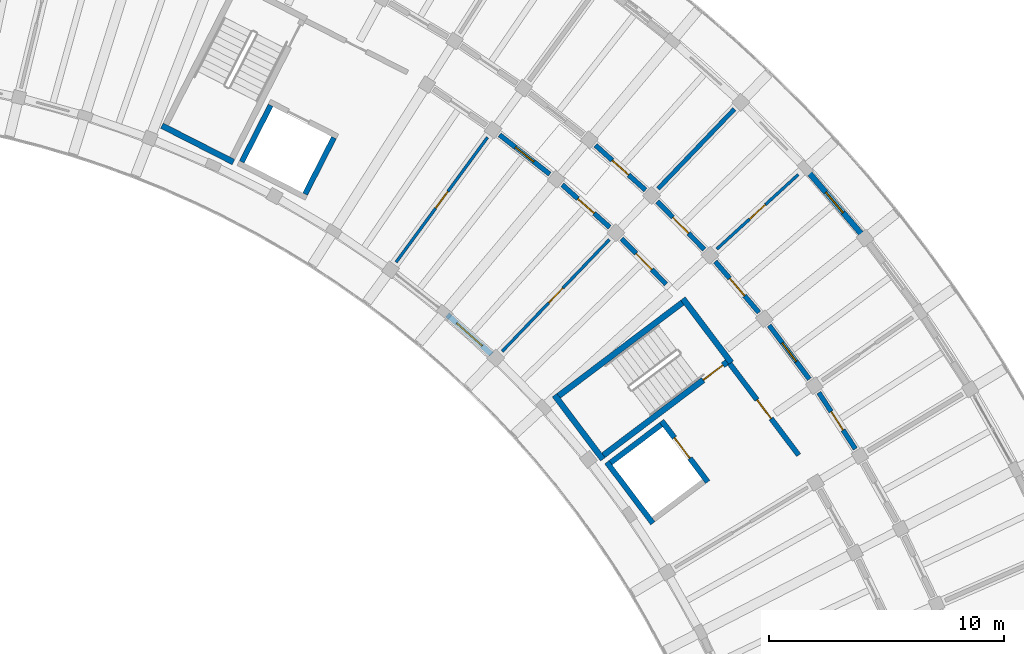
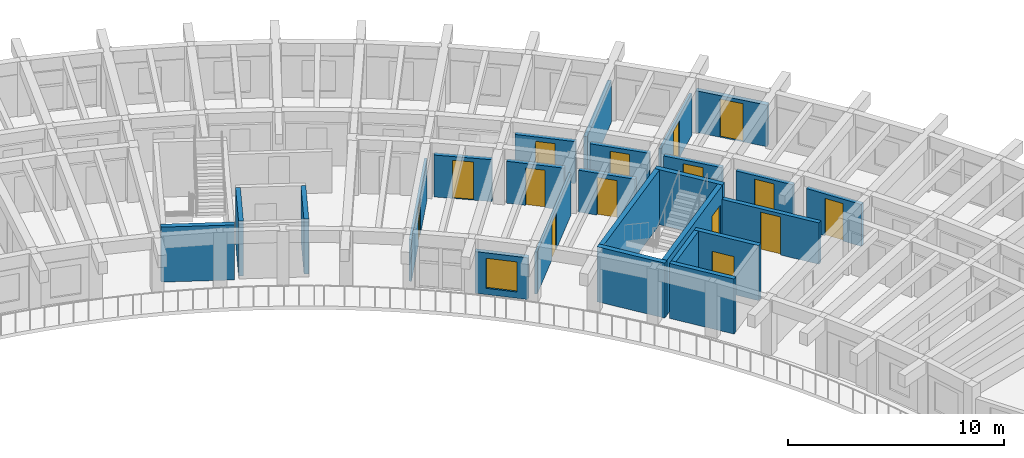
# One storey, part 52 of 78: 25 walls, 15 doors, 1 window, 16 openings.
"""IFC4 building model written with IfcOpenShell, lengths in metres."""

from ifc_helpers import new_model, si_unit, direction, frame, frame_2d, origin, place, context, subcontext, project, spatial, rectangle, extrude, material, layer, layer_set, type_object, element, fill, save


model = new_model("IFC4")

# Units and contexts
model_context = context("Model", 3, precision=1e-05, world=origin(), true_north=direction((0.0, 1.0)))
body_context = subcontext(model_context, "Body", "Model", "MODEL_VIEW")
ifc_project = project(units=[si_unit("LENGTHUNIT", "METRE"), si_unit("AREAUNIT", "SQUARE_METRE"), si_unit("VOLUMEUNIT", "CUBIC_METRE"), si_unit("PLANEANGLEUNIT", "RADIAN"), si_unit("MASSUNIT", "GRAM", prefix="KILO")], contexts=[model_context])

# Site, building, storey
site_placement = place(None, origin())
site = spatial("IfcSite", under=ifc_project, at=site_placement, CompositionType="ELEMENT")
building_placement = place(site_placement, origin())
building = spatial("IfcBuilding", under=site, at=building_placement, Name="Tanwirah Colonnade Gardens", CompositionType="ELEMENT")
storey_placement = place(building_placement, frame((0.0, 0.0, 22.280029296875)))
storey = spatial("IfcBuildingStorey", under=building, at=storey_placement, Name="L06", CompositionType="ELEMENT", Elevation=22.280029296875)

# Wall, opening, door
ifc_material_1 = material(Name="Limestone architectural precast concrete C40/50", Category="masonry")
ifc_layer_1 = layer(ifc_material_1, 0.239990234375)
ifc_layer_set_1 = layer_set([ifc_layer_1], Name="Limestone architectural precast concrete C40/50")
wall_type_1 = type_object("IfcWallType", Name="EW-PC240", PredefinedType="SOLIDWALL", material=ifc_layer_set_1)
wall_1_placement = place(storey_placement, frame((167.3369140625, 97.59228515625, 0.0), z_axis=(0.0, 0.0, 1.0), x_axis=(-0.65016298181, 0.759794773004, 0.0)))
wall_1 = element("IfcWall", 1, at=wall_1_placement, inside=storey, type_object=wall_type_1, Name="Block B L06 OUT Precast Facade Wall 6", PredefinedType="SOLIDWALL", context=body_context, shape_type="SweptSolid", body=[
    extrude(rectangle(XDim=3.520751953125, YDim=0.239990234375, at=frame_2d((1.76025390625, 0.0))), origin(), (0.0, 0.0, 1.0), 2.35498046875),
])
opening_1_placement = place(wall_1_placement, frame((1.1904296875, 0.0, 0.0)))
opening_1 = element("IfcOpeningElement", 2, at=opening_1_placement, cuts=wall_1, Name="Opening L06-ED096", PredefinedType="OPENING", context=body_context, shape_type="SweptSolid", body=[
    extrude(rectangle(XDim=1.139892578125, YDim=2.159912109375, at=frame_2d((0.56982421875, 1.080078125))), frame((0.0, 0.1298828125, 0.0), z_axis=(0.0, -1.0, 0.0), x_axis=(1.0, 0.0, 0.0)), (0.0, 0.0, 1.0), 0.260009765625),
])
ifc_material_2 = material(Name="Bronze aluminium glazed balcony door", Category="aluminium")
door_type_1 = type_object("IfcDoorType", Name="ED-BAL114", OperationType="NOTDEFINED", PredefinedType="DOOR", material=ifc_material_2)
door_1_placement = place(opening_1_placement, origin())
door_1 = element("IfcDoor", 3, at=door_1_placement, inside=storey, type_object=door_type_1, Name="Balcony glazed door L06-ED096", OperationType="SINGLE_SWING_LEFT", OverallHeight=2.159912109375, OverallWidth=1.139892578125, PredefinedType="DOOR", context=body_context, shape_type="SweptSolid", body=[
    extrude(rectangle(XDim=1.139892578125, YDim=2.159912109375, at=frame_2d((0.56982421875, 1.080078125))), frame((0.0, 0.02490234375, 0.0), z_axis=(0.0, -1.0, 0.0), x_axis=(1.0, 0.0, 0.0)), (0.0, 0.0, 1.0), 0.050048828125),
])
fill(opening_1, door_1)

# Wall, opening, window
wall_2_placement = place(storey_placement, frame((151.571044921875, 92.457763671875, 0.0), z_axis=(0.0, 0.0, 1.0), x_axis=(-0.744489903584, 0.667633719536, 0.0)))
wall_2 = element("IfcWall", 4, at=wall_2_placement, inside=storey, type_object=wall_type_1, Name="Block B L06 IN Precast Facade Wall 8", PredefinedType="SOLIDWALL", context=body_context, shape_type="SweptSolid", body=[
    extrude(rectangle(XDim=2.525390625, YDim=0.239990234375, at=frame_2d((1.2626953125, 0.0))), origin(), (0.0, 0.0, 1.0), 2.35498046875),
])
opening_2_placement = place(wall_2_placement, frame((0.53759765625, 0.0, 0.35009765625)))
opening_2 = element("IfcOpeningElement", 5, at=opening_2_placement, cuts=wall_2, Name="Opening WIN-T07", PredefinedType="OPENING", context=body_context, shape_type="SweptSolid", body=[
    extrude(rectangle(XDim=1.449951171875, YDim=1.699951171875, at=frame_2d((0.72509765625, 0.85009765625))), frame((0.0, 0.1298828125, 0.0), z_axis=(0.0, -1.0, 0.0), x_axis=(1.0, 0.0, 0.0)), (0.0, 0.0, 1.0), 0.260009765625),
])
ifc_material_3 = material(Name="Thermally broken bronze aluminium and solar low-E double glazing", Category="aluminium")
window_type = type_object("IfcWindowType", Name="WIN-T07", PartitioningType="DOUBLE_PANEL_VERTICAL", PredefinedType="WINDOW", material=ifc_material_3)
window_placement = place(opening_2_placement, origin())
window = element("IfcWindow", 6, at=window_placement, inside=storey, type_object=window_type, Name="Facade window B-L06-IN-08", OverallHeight=1.699951171875, OverallWidth=1.449951171875, PartitioningType="SINGLE_PANEL", PredefinedType="WINDOW", context=body_context, shape_type="SweptSolid", body=[
    extrude(rectangle(XDim=1.449951171875, YDim=1.699951171875, at=frame_2d((0.72509765625, 0.85009765625))), frame((0.0, 0.030029296875, 0.0), z_axis=(0.0, -1.0, 0.0), x_axis=(1.0, 0.0, 0.0)), (0.0, 0.0, 1.0), 0.06005859375),
])
fill(opening_2, window)

# Wall, opening, door
ifc_material_4 = material(Name="Precast concrete C40/50", Category="concrete")
ifc_layer_2 = layer(ifc_material_4, 0.205078125)
ifc_layer_set_2 = layer_set([ifc_layer_2], Name="Precast concrete C40/50")
wall_type_2 = type_object("IfcWallType", Name="IW-CORR205", PredefinedType="PARTITIONING", material=ifc_layer_set_2)
wall_3_placement = place(storey_placement, frame((167.085205078125, 88.421142578125, 0.0), z_axis=(0.0, 0.0, 1.0), x_axis=(-0.544643612649, 0.838667595178, 0.0)))
wall_3 = element("IfcWall", 7, at=wall_3_placement, inside=storey, type_object=wall_type_2, Name="Block B L06 OUT Corridor Wall 4", PredefinedType="PARTITIONING", context=body_context, shape_type="SweptSolid", body=[
    extrude(rectangle(XDim=2.863037109375, YDim=0.205078125, at=frame_2d((1.431640625, 0.0))), origin(), (0.0, 0.0, 1.0), 2.369873046875),
])
opening_3_placement = place(wall_3_placement, frame((0.966552734375, 0.0, 0.0)))
opening_3 = element("IfcOpeningElement", 8, at=opening_3_placement, cuts=wall_3, Name="Opening L06-AD1054", PredefinedType="OPENING", context=body_context, shape_type="SweptSolid", body=[
    extrude(rectangle(XDim=0.929931640625, YDim=2.1201171875, at=frame_2d((0.46484375, 1.06005859375))), frame((0.0, 0.112548828125, 0.0), z_axis=(0.0, -1.0, 0.0), x_axis=(1.0, 0.0, 0.0)), (0.0, 0.0, 1.0), 0.22509765625),
])
ifc_material_5 = material(Name="Solid oak fire-resisting apartment entrance door")
door_type_2 = type_object("IfcDoorType", Name="ID-FLT093", OperationType="NOTDEFINED", PredefinedType="DOOR", material=ifc_material_5)
door_2_placement = place(opening_3_placement, origin())
door_2 = element("IfcDoor", 9, at=door_2_placement, inside=storey, type_object=door_type_2, Name="Apartment corridor door L06-AD1054", OperationType="SINGLE_SWING_LEFT", OverallHeight=2.1201171875, OverallWidth=0.929931640625, PredefinedType="DOOR", context=body_context, shape_type="SweptSolid", body=[
    extrude(rectangle(XDim=0.929931640625, YDim=2.1201171875, at=frame_2d((0.46484375, 1.06005859375))), frame((0.0, 0.02490234375, 0.0), z_axis=(0.0, -1.0, 0.0), x_axis=(1.0, 0.0, 0.0)), (0.0, 0.0, 1.0), 0.050048828125),
])
fill(opening_3, door_2)

wall_4_placement = place(storey_placement, frame((165.125732421875, 91.396240234375, 0.0), z_axis=(0.0, 0.0, 1.0), x_axis=(-0.598757763243, 0.800930172335, 0.0)))
wall_4 = element("IfcWall", 10, at=wall_4_placement, inside=storey, type_object=wall_type_2, Name="Block B L06 OUT Corridor Wall 5", PredefinedType="PARTITIONING", context=body_context, shape_type="SweptSolid", body=[
    extrude(rectangle(XDim=2.86328125, YDim=0.205078125, at=frame_2d((1.431640625, 0.0))), origin(), (0.0, 0.0, 1.0), 2.369873046875),
])
opening_4_placement = place(wall_4_placement, frame((0.9365234375, 0.0, 0.0)))
opening_4 = element("IfcOpeningElement", 11, at=opening_4_placement, cuts=wall_4, Name="Opening L06-AD1056", PredefinedType="OPENING", context=body_context, shape_type="SweptSolid", body=[
    extrude(rectangle(XDim=0.989990234375, YDim=2.159912109375, at=frame_2d((0.4951171875, 1.080078125))), frame((0.0, 0.112548828125, 0.0), z_axis=(0.0, -1.0, 0.0), x_axis=(1.0, 0.0, 0.0)), (0.0, 0.0, 1.0), 0.22509765625),
])
door_type_3 = type_object("IfcDoorType", Name="ID-FLT099", OperationType="NOTDEFINED", PredefinedType="DOOR", material=ifc_material_5)
door_3_placement = place(opening_4_placement, origin())
door_3 = element("IfcDoor", 12, at=door_3_placement, inside=storey, type_object=door_type_3, Name="Apartment corridor door L06-AD1056", OperationType="SINGLE_SWING_RIGHT", OverallHeight=2.159912109375, OverallWidth=0.989990234375, PredefinedType="DOOR", context=body_context, shape_type="SweptSolid", body=[
    extrude(rectangle(XDim=0.989990234375, YDim=2.159912109375, at=frame_2d((0.4951171875, 1.080078125))), frame((0.0, 0.02490234375, 0.0), z_axis=(0.0, -1.0, 0.0), x_axis=(1.0, 0.0, 0.0)), (0.0, 0.0, 1.0), 0.050048828125),
])
fill(opening_4, door_3)

wall_5_placement = place(storey_placement, frame((162.974365234375, 94.23583984375, 0.0), z_axis=(0.0, 0.0, 1.0), x_axis=(-0.650194272684, 0.759767996015, 0.0)))
wall_5 = element("IfcWall", 13, at=wall_5_placement, inside=storey, type_object=wall_type_2, Name="Block B L06 OUT Corridor Wall 6", PredefinedType="PARTITIONING", context=body_context, shape_type="SweptSolid", body=[
    extrude(rectangle(XDim=2.863037109375, YDim=0.205078125, at=frame_2d((1.431640625, 0.0))), origin(), (0.0, 0.0, 1.0), 2.369873046875),
])
opening_5_placement = place(wall_5_placement, frame((0.946533203125, 0.0, 0.0)))
opening_5 = element("IfcOpeningElement", 14, at=opening_5_placement, cuts=wall_5, Name="Opening L06-AD1057", PredefinedType="OPENING", context=body_context, shape_type="SweptSolid", body=[
    extrude(rectangle(XDim=0.969970703125, YDim=2.14990234375, at=frame_2d((0.48486328125, 1.074951171875))), frame((0.0, 0.112548828125, 0.0), z_axis=(0.0, -1.0, 0.0), x_axis=(1.0, 0.0, 0.0)), (0.0, 0.0, 1.0), 0.22509765625),
])
door_type_4 = type_object("IfcDoorType", Name="ID-FLT097", OperationType="NOTDEFINED", PredefinedType="DOOR", material=ifc_material_5)
door_4_placement = place(opening_5_placement, origin())
door_4 = element("IfcDoor", 15, at=door_4_placement, inside=storey, type_object=door_type_4, Name="Apartment corridor door L06-AD1057", OperationType="SINGLE_SWING_LEFT", OverallHeight=2.14990234375, OverallWidth=0.969970703125, PredefinedType="DOOR", context=body_context, shape_type="SweptSolid", body=[
    extrude(rectangle(XDim=0.969970703125, YDim=2.14990234375, at=frame_2d((0.48486328125, 1.074951171875))), frame((0.0, 0.02490234375, 0.0), z_axis=(0.0, -1.0, 0.0), x_axis=(1.0, 0.0, 0.0)), (0.0, 0.0, 1.0), 0.050048828125),
])
fill(opening_5, door_4)

wall_6_placement = place(storey_placement, frame((160.640625, 96.92724609375, 0.0), z_axis=(0.0, 0.0, 1.0), x_axis=(-0.698787219683, 0.715329589496, 0.0)))
wall_6 = element("IfcWall", 16, at=wall_6_placement, inside=storey, type_object=wall_type_2, Name="Block B L06 OUT Corridor Wall 7", PredefinedType="PARTITIONING", context=body_context, shape_type="SweptSolid", body=[
    extrude(rectangle(XDim=2.863037109375, YDim=0.205078125, at=frame_2d((1.431640625, 0.0))), origin(), (0.0, 0.0, 1.0), 2.369873046875),
])
opening_6_placement = place(wall_6_placement, frame((0.95654296875, 0.0, 0.0)))
opening_6 = element("IfcOpeningElement", 17, at=opening_6_placement, cuts=wall_6, Name="Opening L06-AD1059", PredefinedType="OPENING", context=body_context, shape_type="SweptSolid", body=[
    extrude(rectangle(XDim=0.949951171875, YDim=2.1298828125, at=frame_2d((0.47509765625, 1.06494140625))), frame((0.0, 0.112548828125, 0.0), z_axis=(0.0, -1.0, 0.0), x_axis=(1.0, 0.0, 0.0)), (0.0, 0.0, 1.0), 0.22509765625),
])
door_type_5 = type_object("IfcDoorType", Name="ID-FLT095", OperationType="NOTDEFINED", PredefinedType="DOOR", material=ifc_material_5)
door_5_placement = place(opening_6_placement, origin())
door_5 = element("IfcDoor", 18, at=door_5_placement, inside=storey, type_object=door_type_5, Name="Apartment corridor door L06-AD1059", OperationType="SINGLE_SWING_RIGHT", OverallHeight=2.1298828125, OverallWidth=0.949951171875, PredefinedType="DOOR", context=body_context, shape_type="SweptSolid", body=[
    extrude(rectangle(XDim=0.949951171875, YDim=2.1298828125, at=frame_2d((0.47509765625, 1.06494140625))), frame((0.0, 0.02490234375, 0.0), z_axis=(0.0, -1.0, 0.0), x_axis=(1.0, 0.0, 0.0)), (0.0, 0.0, 1.0), 0.050048828125),
])
fill(opening_6, door_5)

wall_7_placement = place(storey_placement, frame((159.01708984375, 95.442626953125, 0.0), z_axis=(0.0, 0.0, 1.0), x_axis=(-0.698840007829, 0.715278018296, 0.0)))
wall_7 = element("IfcWall", 19, at=wall_7_placement, inside=storey, type_object=wall_type_2, Name="Block B L06 IN Corridor Wall 7", PredefinedType="PARTITIONING", context=body_context, shape_type="SweptSolid", body=[
    extrude(rectangle(XDim=2.718017578125, YDim=0.205078125, at=frame_2d((1.35888671875, 0.0))), origin(), (0.0, 0.0, 1.0), 2.369873046875),
])
opening_7_placement = place(wall_7_placement, frame((0.884033203125, 0.0, 0.0)))
opening_7 = element("IfcOpeningElement", 20, at=opening_7_placement, cuts=wall_7, Name="Opening L06-AD1060", PredefinedType="OPENING", context=body_context, shape_type="SweptSolid", body=[
    extrude(rectangle(XDim=0.949951171875, YDim=2.1298828125, at=frame_2d((0.47509765625, 1.06494140625))), frame((0.0, 0.112548828125, 0.0), z_axis=(0.0, -1.0, 0.0), x_axis=(1.0, 0.0, 0.0)), (0.0, 0.0, 1.0), 0.22509765625),
])
door_6_placement = place(opening_7_placement, origin())
door_6 = element("IfcDoor", 21, at=door_6_placement, inside=storey, type_object=door_type_5, Name="Apartment corridor door L06-AD1060", OperationType="SINGLE_SWING_LEFT", OverallHeight=2.1298828125, OverallWidth=0.949951171875, PredefinedType="DOOR", context=body_context, shape_type="SweptSolid", body=[
    extrude(rectangle(XDim=0.949951171875, YDim=2.1298828125, at=frame_2d((0.47509765625, 1.06494140625))), frame((0.0, 0.02490234375, 0.0), z_axis=(0.0, -1.0, 0.0), x_axis=(1.0, 0.0, 0.0)), (0.0, 0.0, 1.0), 0.050048828125),
])
fill(opening_7, door_6)

wall_8_placement = place(storey_placement, frame((158.134765625, 99.459228515625, 0.0), z_axis=(0.0, 0.0, 1.0), x_axis=(-0.744433521088, 0.667696587291, 0.0)))
wall_8 = element("IfcWall", 22, at=wall_8_placement, inside=storey, type_object=wall_type_2, Name="Block B L06 OUT Corridor Wall 8", PredefinedType="PARTITIONING", context=body_context, shape_type="SweptSolid", body=[
    extrude(rectangle(XDim=2.86328125, YDim=0.205078125, at=frame_2d((1.431640625, 0.0))), origin(), (0.0, 0.0, 1.0), 2.369873046875),
])
opening_8_placement = place(wall_8_placement, frame((0.966552734375, 0.0, 0.0)))
opening_8 = element("IfcOpeningElement", 23, at=opening_8_placement, cuts=wall_8, Name="Opening L06-AD1062", PredefinedType="OPENING", context=body_context, shape_type="SweptSolid", body=[
    extrude(rectangle(XDim=0.929931640625, YDim=2.1201171875, at=frame_2d((0.46484375, 1.06005859375))), frame((0.0, 0.112548828125, 0.0), z_axis=(0.0, -1.0, 0.0), x_axis=(1.0, 0.0, 0.0)), (0.0, 0.0, 1.0), 0.22509765625),
])
door_7_placement = place(opening_8_placement, origin())
door_7 = element("IfcDoor", 24, at=door_7_placement, inside=storey, type_object=door_type_2, Name="Apartment corridor door L06-AD1062", OperationType="SINGLE_SWING_LEFT", OverallHeight=2.1201171875, OverallWidth=0.929931640625, PredefinedType="DOOR", context=body_context, shape_type="SweptSolid", body=[
    extrude(rectangle(XDim=0.929931640625, YDim=2.1201171875, at=frame_2d((0.46484375, 1.06005859375))), frame((0.0, 0.02490234375, 0.0), z_axis=(0.0, -1.0, 0.0), x_axis=(1.0, 0.0, 0.0)), (0.0, 0.0, 1.0), 0.050048828125),
])
fill(opening_8, door_7)

wall_9_placement = place(storey_placement, frame((156.612548828125, 97.870849609375, 0.0), z_axis=(0.0, 0.0, 1.0), x_axis=(-0.744418559135, 0.667713268413, 0.0)))
wall_9 = element("IfcWall", 25, at=wall_9_placement, inside=storey, type_object=wall_type_2, Name="Block B L06 IN Corridor Wall 8", PredefinedType="PARTITIONING", context=body_context, shape_type="SweptSolid", body=[
    extrude(rectangle(XDim=2.71826171875, YDim=0.205078125, at=frame_2d((1.359130859375, 0.0))), origin(), (0.0, 0.0, 1.0), 2.369873046875),
])
opening_9_placement = place(wall_9_placement, frame((0.89404296875, 0.0, 0.0)))
opening_9 = element("IfcOpeningElement", 26, at=opening_9_placement, cuts=wall_9, Name="Opening L06-AD1063", PredefinedType="OPENING", context=body_context, shape_type="SweptSolid", body=[
    extrude(rectangle(XDim=0.929931640625, YDim=2.1201171875, at=frame_2d((0.46484375, 1.06005859375))), frame((0.0, 0.112548828125, 0.0), z_axis=(0.0, -1.0, 0.0), x_axis=(1.0, 0.0, 0.0)), (0.0, 0.0, 1.0), 0.22509765625),
])
door_8_placement = place(opening_9_placement, origin())
door_8 = element("IfcDoor", 27, at=door_8_placement, inside=storey, type_object=door_type_2, Name="Apartment corridor door L06-AD1063", OperationType="SINGLE_SWING_RIGHT", OverallHeight=2.1201171875, OverallWidth=0.929931640625, PredefinedType="DOOR", context=body_context, shape_type="SweptSolid", body=[
    extrude(rectangle(XDim=0.929931640625, YDim=2.1201171875, at=frame_2d((0.46484375, 1.06005859375))), frame((0.0, 0.02490234375, 0.0), z_axis=(0.0, -1.0, 0.0), x_axis=(1.0, 0.0, 0.0)), (0.0, 0.0, 1.0), 0.050048828125),
])
fill(opening_9, door_8)

wall_10_placement = place(storey_placement, frame((154.05322265625, 100.135498046875, 0.0), z_axis=(0.0, 0.0, 1.0), x_axis=(-0.786835457019, 0.617162833924, 0.0)))
wall_10 = element("IfcWall", 28, at=wall_10_placement, inside=storey, type_object=wall_type_2, Name="Block B L06 IN Corridor Wall 9", PredefinedType="PARTITIONING", context=body_context, shape_type="SweptSolid", body=[
    extrude(rectangle(XDim=2.718017578125, YDim=0.205078125, at=frame_2d((1.35888671875, 0.0))), origin(), (0.0, 0.0, 1.0), 2.369873046875),
])
opening_10_placement = place(wall_10_placement, frame((0.864013671875, 0.0, 0.0)))
opening_10 = element("IfcOpeningElement", 29, at=opening_10_placement, cuts=wall_10, Name="Opening L06-AD1065", PredefinedType="OPENING", context=body_context, shape_type="SweptSolid", body=[
    extrude(rectangle(XDim=0.989990234375, YDim=2.159912109375, at=frame_2d((0.4951171875, 1.080078125))), frame((0.0, 0.112548828125, 0.0), z_axis=(0.0, -1.0, 0.0), x_axis=(1.0, 0.0, 0.0)), (0.0, 0.0, 1.0), 0.22509765625),
])
door_9_placement = place(opening_10_placement, origin())
door_9 = element("IfcDoor", 30, at=door_9_placement, inside=storey, type_object=door_type_3, Name="Apartment corridor door L06-AD1065", OperationType="SINGLE_SWING_LEFT", OverallHeight=2.159912109375, OverallWidth=0.989990234375, PredefinedType="DOOR", context=body_context, shape_type="SweptSolid", body=[
    extrude(rectangle(XDim=0.989990234375, YDim=2.159912109375, at=frame_2d((0.4951171875, 1.080078125))), frame((0.0, 0.02490234375, 0.0), z_axis=(0.0, -1.0, 0.0), x_axis=(1.0, 0.0, 0.0)), (0.0, 0.0, 1.0), 0.050048828125),
])
fill(opening_10, door_9)

# Wall
ifc_layer_3 = layer(ifc_material_4, 0.18505859375)
ifc_layer_set_3 = layer_set([ifc_layer_3], Name="Precast concrete C40/50")
wall_type_3 = type_object("IfcWallType", Name="IW-DEM185", PredefinedType="PARTITIONING", material=ifc_layer_set_3)
wall_11_placement = place(storey_placement, frame((158.671875, 99.514404296875, 0.0), z_axis=(0.0, 0.0, 1.0), x_axis=(0.691855720025, 0.722035776585, 0.0)))
element("IfcWall", 31, at=wall_11_placement, inside=storey, type_object=wall_type_3, Name="Block B L06 Radial Partition 7", PredefinedType="PARTITIONING", context=body_context, shape_type="SweptSolid", body=[
    extrude(rectangle(XDim=4.699951171875, YDim=0.18505859375, at=frame_2d((2.35009765625, 0.0))), origin(), (0.0, 0.0, 1.0), 2.369873046875),
])

# Wall, opening, door
ifc_material_6 = material(Name="Autoclaved aerated masonry blockwork", Category="masonry")
ifc_layer_4 = layer(ifc_material_6, 0.219970703125)
ifc_layer_set_4 = layer_set([ifc_layer_4], Name="Autoclaved aerated masonry blockwork")
wall_type_4 = type_object("IfcWallType", Name="IW-FFL220", PredefinedType="PARTITIONING", material=ifc_layer_set_4)
wall_12_placement = place(storey_placement, frame((161.7177734375, 92.072509765625, 0.0), z_axis=(0.0, 0.0, 1.0), x_axis=(0.601792209296, -0.79865270101, 0.0)))
wall_12 = element("IfcWall", 32, at=wall_12_placement, inside=storey, type_object=wall_type_4, Name="CORE-B1 L06 Enclosed Lobby Fire Wall", PredefinedType="PARTITIONING", context=body_context, shape_type="SweptSolid", body=[
    extrude(rectangle(XDim=4.89990234375, YDim=0.219970703125, at=frame_2d((2.449951171875, 0.0))), origin(), (0.0, 0.0, 1.0), 2.340087890625),
])
opening_11_placement = place(wall_12_placement, frame((1.949951171875, 0.0, 0.0)))
opening_11 = element("IfcOpeningElement", 33, at=opening_11_placement, cuts=wall_12, Name="Opening L06-LD086", PredefinedType="OPENING", context=body_context, shape_type="SweptSolid", body=[
    extrude(rectangle(XDim=1.0, YDim=2.14990234375, at=frame_2d((0.5, 1.074951171875))), frame((0.0, 0.119873046875, 0.0), z_axis=(0.0, -1.0, 0.0), x_axis=(1.0, 0.0, 0.0)), (0.0, 0.0, 1.0), 0.239990234375),
])
ifc_material_7 = material(Name="Acoustic fire-resisting lobby door")
door_type_6 = type_object("IfcDoorType", Name="ID-FFL100", OperationType="NOTDEFINED", PredefinedType="DOOR", material=ifc_material_7)
door_10_placement = place(opening_11_placement, origin())
door_10 = element("IfcDoor", 34, at=door_10_placement, inside=storey, type_object=door_type_6, Name="CORE-B1 L06 Lobby Fire Door L06-LD086", OperationType="SINGLE_SWING_LEFT", OverallHeight=2.14990234375, OverallWidth=1.0, PredefinedType="DOOR", context=body_context, shape_type="SweptSolid", body=[
    extrude(rectangle(XDim=1.0, YDim=2.14990234375, at=frame_2d((0.5, 1.074951171875))), frame((0.0, 0.02490234375, 0.0), z_axis=(0.0, -1.0, 0.0), x_axis=(1.0, 0.0, 0.0)), (0.0, 0.0, 1.0), 0.050048828125),
])
fill(opening_11, door_10)

ifc_material_8 = material(Name="Moisture-resistant gypsum stud partition")
ifc_layer_5 = layer(ifc_material_8, 0.125)
ifc_layer_set_5 = layer_set([ifc_layer_5], Name="Moisture-resistant gypsum stud partition")
wall_type_5 = type_object("IfcWallType", Name="IW-INT125", PredefinedType="PARTITIONING", material=ifc_layer_set_5)
wall_13_placement = place(storey_placement, frame((161.180419921875, 96.947021484375, 0.0), z_axis=(0.0, 0.0, 1.0), x_axis=(0.737934199263, 0.674872667663, 0.0)))
wall_13 = element("IfcWall", 35, at=wall_13_placement, inside=storey, type_object=wall_type_5, Name="Block B L06 Radial Partition 6", PredefinedType="PARTITIONING", context=body_context, shape_type="SweptSolid", body=[
    extrude(rectangle(XDim=4.699951171875, YDim=0.125, at=frame_2d((2.35009765625, 0.0))), origin(), (0.0, 0.0, 1.0), 2.369873046875),
])
opening_12_placement = place(wall_13_placement, frame((1.89501953125, 0.0, 0.0)))
opening_12 = element("IfcOpeningElement", 36, at=opening_12_placement, cuts=wall_13, Name="Opening L06-RD1058", PredefinedType="OPENING", context=body_context, shape_type="SweptSolid", body=[
    extrude(rectangle(XDim=0.909912109375, YDim=2.10009765625, at=frame_2d((0.455078125, 1.050048828125))), frame((0.0, 0.072509765625, 0.0), z_axis=(0.0, -1.0, 0.0), x_axis=(1.0, 0.0, 0.0)), (0.0, 0.0, 1.0), 0.14501953125),
])
ifc_material_9 = material(Name="Painted hardwood internal room door", Category="wood")
door_type_7 = type_object("IfcDoorType", Name="ID-RM091", OperationType="NOTDEFINED", PredefinedType="DOOR", material=ifc_material_9)
door_11_placement = place(opening_12_placement, origin())
door_11 = element("IfcDoor", 37, at=door_11_placement, inside=storey, type_object=door_type_7, Name="Internal apartment door L06-RD1058", OperationType="SINGLE_SWING_LEFT", OverallHeight=2.10009765625, OverallWidth=0.909912109375, PredefinedType="DOOR", context=body_context, shape_type="SweptSolid", body=[
    extrude(rectangle(XDim=0.909912109375, YDim=2.10009765625, at=frame_2d((0.455078125, 1.050048828125))), frame((0.0, 0.02490234375, 0.0), z_axis=(0.0, -1.0, 0.0), x_axis=(1.0, 0.0, 0.0)), (0.0, 0.0, 1.0), 0.050048828125),
])
fill(opening_12, door_11)

wall_14_placement = place(storey_placement, frame((152.030029296875, 92.5830078125, 0.0), z_axis=(0.0, 0.0, 1.0), x_axis=(0.691872422458, 0.722019771919, 0.0)))
wall_14 = element("IfcWall", 38, at=wall_14_placement, inside=storey, type_object=wall_type_5, Name="Block B L06 Inner Radial Partition 7", PredefinedType="PARTITIONING", context=body_context, shape_type="SweptSolid", body=[
    extrude(rectangle(XDim=6.60009765625, YDim=0.125, at=frame_2d((3.300048828125, 0.0))), origin(), (0.0, 0.0, 1.0), 2.369873046875),
])
opening_13_placement = place(wall_14_placement, frame((2.864990234375, 0.0, 0.0)))
opening_13 = element("IfcOpeningElement", 39, at=opening_13_placement, cuts=wall_14, Name="Opening L06-RD1061", PredefinedType="OPENING", context=body_context, shape_type="SweptSolid", body=[
    extrude(rectangle(XDim=0.8701171875, YDim=2.080078125, at=frame_2d((0.43505859375, 1.0400390625))), frame((0.0, 0.072509765625, 0.0), z_axis=(0.0, -1.0, 0.0), x_axis=(1.0, 0.0, 0.0)), (0.0, 0.0, 1.0), 0.14501953125),
])
ifc_material_10 = material(Name="Painted hardwood study door", Category="wood")
door_type_8 = type_object("IfcDoorType", Name="ID-RM087", OperationType="NOTDEFINED", PredefinedType="DOOR", material=ifc_material_10)
door_12_placement = place(opening_13_placement, origin())
door_12 = element("IfcDoor", 40, at=door_12_placement, inside=storey, type_object=door_type_8, Name="Internal apartment door L06-RD1061", OperationType="SINGLE_SWING_LEFT", OverallHeight=2.080078125, OverallWidth=0.8701171875, PredefinedType="DOOR", context=body_context, shape_type="SweptSolid", body=[
    extrude(rectangle(XDim=0.8701171875, YDim=2.080078125, at=frame_2d((0.43505859375, 1.0400390625))), frame((0.0, 0.02490234375, 0.0), z_axis=(0.0, -1.0, 0.0), x_axis=(1.0, 0.0, 0.0)), (0.0, 0.0, 1.0), 0.050048828125),
])
fill(opening_13, door_12)

wall_15_placement = place(storey_placement, frame((147.502685546875, 96.3818359375, 0.0), z_axis=(0.0, 0.0, 1.0), x_axis=(0.590924179316, 0.806727100263, 0.0)))
wall_15 = element("IfcWall", 41, at=wall_15_placement, inside=storey, type_object=wall_type_5, Name="Block B L06 Inner Radial Partition 9", PredefinedType="PARTITIONING", context=body_context, shape_type="SweptSolid", body=[
    extrude(rectangle(XDim=6.60009765625, YDim=0.125, at=frame_2d((3.300048828125, 0.0))), origin(), (0.0, 0.0, 1.0), 2.369873046875),
])
opening_14_placement = place(wall_15_placement, frame((2.85498046875, 0.0, 0.0)))
opening_14 = element("IfcOpeningElement", 42, at=opening_14_placement, cuts=wall_15, Name="Opening L06-RD1066", PredefinedType="OPENING", context=body_context, shape_type="SweptSolid", body=[
    extrude(rectangle(XDim=0.889892578125, YDim=2.10009765625, at=frame_2d((0.44482421875, 1.050048828125))), frame((0.0, 0.072509765625, 0.0), z_axis=(0.0, -1.0, 0.0), x_axis=(1.0, 0.0, 0.0)), (0.0, 0.0, 1.0), 0.14501953125),
])
ifc_material_11 = material(Name="Painted hardwood bedroom door", Category="wood")
door_type_9 = type_object("IfcDoorType", Name="ID-RM089", OperationType="NOTDEFINED", PredefinedType="DOOR", material=ifc_material_11)
door_13_placement = place(opening_14_placement, origin())
door_13 = element("IfcDoor", 43, at=door_13_placement, inside=storey, type_object=door_type_9, Name="Internal apartment door L06-RD1066", OperationType="SINGLE_SWING_LEFT", OverallHeight=2.10009765625, OverallWidth=0.889892578125, PredefinedType="DOOR", context=body_context, shape_type="SweptSolid", body=[
    extrude(rectangle(XDim=0.889892578125, YDim=2.10009765625, at=frame_2d((0.44482421875, 1.050048828125))), frame((0.0, 0.02490234375, 0.0), z_axis=(0.0, -1.0, 0.0), x_axis=(1.0, 0.0, 0.0)), (0.0, 0.0, 1.0), 0.050048828125),
])
fill(opening_14, door_13)

# Walls
ifc_material_12 = material(Name="Concrete C45/55", Category="concrete")
ifc_layer_6 = layer(ifc_material_12, 0.25)
ifc_layer_set_6 = layer_set([ifc_layer_6], Name="Concrete C45/55")
wall_type_6 = type_object("IfcWallType", Name="SW-CORE250", PredefinedType="SHEAR", material=ifc_layer_set_6)
wall_16_placement = place(storey_placement, frame((159.706787109375, 94.657958984375, 0.0), z_axis=(0.0, 0.0, 1.0), x_axis=(-0.798639633744, -0.601809550782, 0.0)))
element("IfcWall", 44, at=wall_16_placement, inside=storey, type_object=wall_type_6, Name="CORE-B1 L06 Stair Shaft Shear Wall LEFT", PredefinedType="SHEAR", context=body_context, shape_type="SweptSolid", body=[
    extrude(rectangle(XDim=6.599853515625, YDim=0.25, at=frame_2d((3.2998046875, 0.0))), origin(), (0.0, 0.0, 1.0), 3.10986328125),
])
wall_17_placement = place(storey_placement, frame((154.2607421875, 90.710693359375, 0.0), z_axis=(0.0, 0.0, 1.0), x_axis=(0.601825826579, -0.798627368967, 0.0)))
element("IfcWall", 45, at=wall_17_placement, inside=storey, type_object=wall_type_6, Name="CORE-B1 L06 Stair Shaft Shear Wall FAR", PredefinedType="SHEAR", context=body_context, shape_type="SweptSolid", body=[
    extrude(rectangle(XDim=3.420166015625, YDim=0.25, at=frame_2d((1.7099609375, 0.0))), origin(), (0.0, 0.0, 1.0), 3.10986328125),
])
wall_18_placement = place(storey_placement, frame((159.7314453125, 94.8330078125, 0.0), z_axis=(0.0, 0.0, 1.0), x_axis=(0.601814606132, -0.798635824294, 0.0)))
element("IfcWall", 46, at=wall_18_placement, inside=storey, type_object=wall_type_6, Name="CORE-B1 L06 Stair Shaft Shear Wall NEAR", PredefinedType="SHEAR", context=body_context, shape_type="SweptSolid", body=[
    extrude(rectangle(XDim=3.419921875, YDim=0.25, at=frame_2d((1.7099609375, 0.0))), origin(), (0.0, 0.0, 1.0), 3.10986328125),
])

# Wall, opening, door
wall_19_placement = place(storey_placement, frame((161.614501953125, 92.126220703125, 0.0), z_axis=(0.0, 0.0, 1.0), x_axis=(-0.798639633744, -0.601809550782, 0.0)))
wall_19 = element("IfcWall", 47, at=wall_19_placement, inside=storey, type_object=wall_type_6, Name="CORE-B1 L06 Stair Shaft Shear Wall RIGHT", PredefinedType="SHEAR", context=body_context, shape_type="SweptSolid", body=[
    extrude(rectangle(XDim=6.599853515625, YDim=0.25, at=frame_2d((3.2998046875, 0.0))), origin(), (0.0, 0.0, 1.0), 3.10986328125),
])
opening_15_placement = place(wall_19_placement, frame((0.219970703125, 0.0, 0.0)))
opening_15 = element("IfcOpeningElement", 48, at=opening_15_placement, cuts=wall_19, Name="Opening L06-SD072", PredefinedType="OPENING", context=body_context, shape_type="SweptSolid", body=[
    extrude(rectangle(XDim=1.050048828125, YDim=2.14990234375, at=frame_2d((0.52490234375, 1.074951171875))), frame((0.0, 0.135009765625, 0.0), z_axis=(0.0, -1.0, 0.0), x_axis=(1.0, 0.0, 0.0)), (0.0, 0.0, 1.0), 0.27001953125),
])
ifc_material_13 = material(Name="Steel fire-resisting stair enclosure door", Category="steel")
door_type_10 = type_object("IfcDoorType", Name="ID-ST105", OperationType="NOTDEFINED", PredefinedType="DOOR", material=ifc_material_13)
door_14_placement = place(opening_15_placement, origin())
door_14 = element("IfcDoor", 49, at=door_14_placement, inside=storey, type_object=door_type_10, Name="CORE-B1 L06 Stair Fire Door L06-SD072", OperationType="SINGLE_SWING_LEFT", OverallHeight=2.14990234375, OverallWidth=1.050048828125, PredefinedType="DOOR", context=body_context, shape_type="SweptSolid", body=[
    extrude(rectangle(XDim=1.050048828125, YDim=2.14990234375, at=frame_2d((0.52490234375, 1.074951171875))), frame((0.0, 0.02490234375, 0.0), z_axis=(0.0, -1.0, 0.0), x_axis=(1.0, 0.0, 0.0)), (0.0, 0.0, 1.0), 0.050048828125),
])
fill(opening_15, door_14)

# Wall
wall_20_placement = place(storey_placement, frame((137.51953125, 102.203369140625, 0.0), z_axis=(0.0, 0.0, 1.0), x_axis=(0.891003540237, -0.453996356025, 0.0)))
element("IfcWall", 50, at=wall_20_placement, inside=storey, type_object=wall_type_6, Name="CORE-B2 L06 Stair Shaft Shear Wall FAR", PredefinedType="SHEAR", context=body_context, shape_type="SweptSolid", body=[
    extrude(rectangle(XDim=3.420166015625, YDim=0.25, at=frame_2d((1.7099609375, 0.0))), origin(), (0.0, 0.0, 1.0), 3.10986328125),
])

# Wall, opening, door
ifc_layer_7 = layer(ifc_material_12, 0.22998046875)
ifc_layer_set_7 = layer_set([ifc_layer_7], Name="Concrete C45/55")
wall_type_7 = type_object("IfcWallType", Name="SW-LIFT230", PredefinedType="SHEAR", material=ifc_layer_set_7)
wall_21_placement = place(storey_placement, frame((158.827392578125, 89.618896484375, 0.0), z_axis=(0.0, 0.0, 1.0), x_axis=(0.601819781152, -0.798631924615, 0.0)))
wall_21 = element("IfcWall", 51, at=wall_21_placement, inside=storey, type_object=wall_type_7, Name="CORE-B1 L06 Lift Shaft Wall FRONT", PredefinedType="SHEAR", context=body_context, shape_type="SweptSolid", body=[
    extrude(rectangle(XDim=3.260009765625, YDim=0.22998046875, at=frame_2d((1.6298828125, 0.0))), origin(), (0.0, 0.0, 1.0), 3.10986328125),
])
opening_16_placement = place(wall_21_placement, frame((0.89990234375, 0.0, 0.0)))
opening_16 = element("IfcOpeningElement", 52, at=opening_16_placement, cuts=wall_21, Name="Opening L06-LD-FL-B1", PredefinedType="OPENING", context=body_context, shape_type="SweptSolid", body=[
    extrude(rectangle(XDim=1.10009765625, YDim=2.14990234375, at=frame_2d((0.550048828125, 1.074951171875))), frame((0.0, 0.125, 0.0), z_axis=(0.0, -1.0, 0.0), x_axis=(1.0, 0.0, 0.0)), (0.0, 0.0, 1.0), 0.25),
])
ifc_material_14 = material(Name="Stainless steel sliding fire lift landing door", Category="steel")
door_type_11 = type_object("IfcDoorType", Name="LD-FF11", OperationType="DOUBLE_DOOR_SLIDING", PredefinedType="DOOR", material=ifc_material_14)
door_15_placement = place(opening_16_placement, origin())
door_15 = element("IfcDoor", 53, at=door_15_placement, inside=storey, type_object=door_type_11, Name="Lift FL-B1 L06 Sliding Landing Door", OperationType="DOUBLE_DOOR_SLIDING", OverallHeight=2.14990234375, OverallWidth=1.10009765625, PredefinedType="DOOR", context=body_context, shape_type="SweptSolid", body=[
    extrude(rectangle(XDim=1.10009765625, YDim=2.14990234375, at=frame_2d((0.550048828125, 1.074951171875))), frame((0.0, 0.02490234375, 0.0), z_axis=(0.0, -1.0, 0.0), x_axis=(1.0, 0.0, 0.0)), (0.0, 0.0, 1.0), 0.050048828125),
])
fill(opening_16, door_15)

# Walls
wall_22_placement = place(storey_placement, frame((156.4873046875, 87.855712890625, 0.0), z_axis=(0.0, 0.0, 1.0), x_axis=(0.601819781152, -0.798631924615, 0.0)))
element("IfcWall", 54, at=wall_22_placement, inside=storey, type_object=wall_type_7, Name="CORE-B1 L06 Lift Shaft Wall BACK", PredefinedType="SHEAR", context=body_context, shape_type="SweptSolid", body=[
    extrude(rectangle(XDim=3.260009765625, YDim=0.22998046875, at=frame_2d((1.6298828125, 0.0))), origin(), (0.0, 0.0, 1.0), 3.10986328125),
])
for number, where, z_axis, x_axis, name in (
    (55, (158.8046875, 89.4580078125, 0.0), (0.0, 0.0, 1.0), (-0.798608971494, -0.601850239387, 0.0), "CORE-B1 L06 Lift Shaft Wall SIDEA"),
    (56, (142.15283203125, 103.0693359375, 0.0), (0.0, 0.0, 1.0), (-0.454000278178, -0.891001541758, 0.0), "CORE-B2 L06 Lift Shaft Wall SIDEA"),
    (57, (144.8525390625, 101.693603515625, 0.0), (0.0, 0.0, 1.0), (-0.454036857101, -0.890982902414, 0.0), "CORE-B2 L06 Lift Shaft Wall SIDEB"),
):
    element("IfcWall", number, at=place(storey_placement, frame(where, z_axis=z_axis, x_axis=x_axis)), inside=storey, type_object=wall_type_7, Name=name, PredefinedType="SHEAR", context=body_context, shape_type="SweptSolid", body=[
        extrude(rectangle(XDim=2.699951171875, YDim=0.22998046875, at=frame_2d((1.35009765625, 0.0))), origin(), (0.0, 0.0, 1.0), 3.10986328125),
    ])

save(model, "model.ifc")
